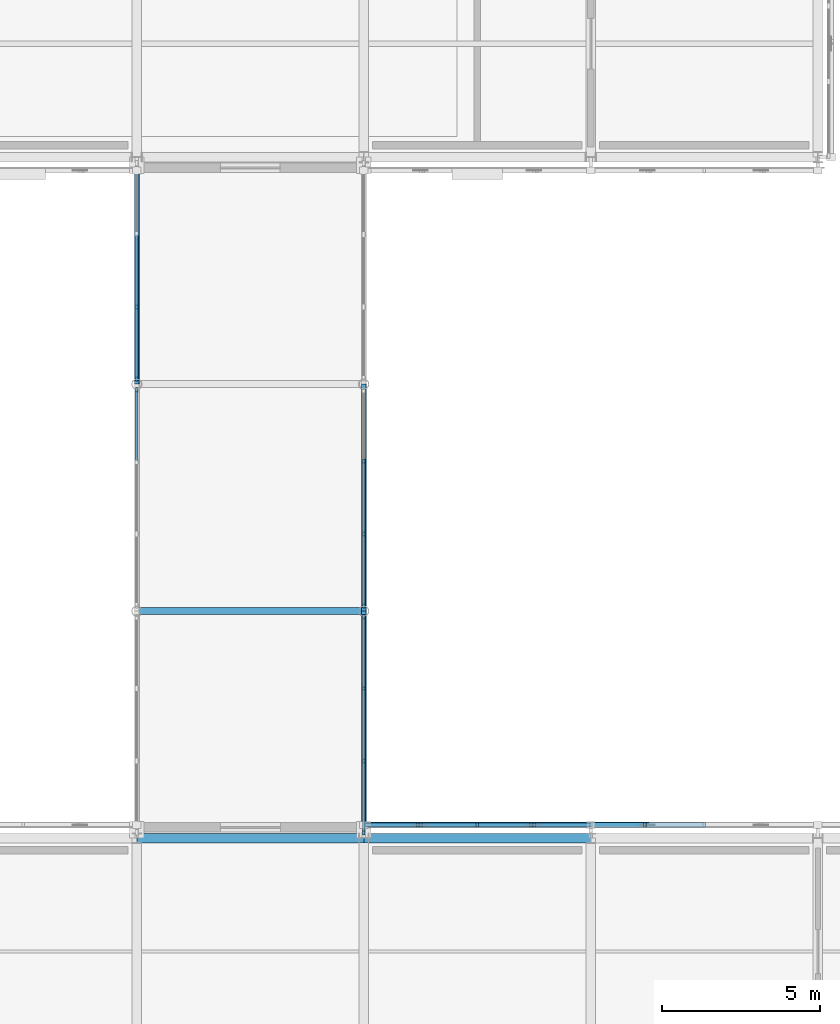
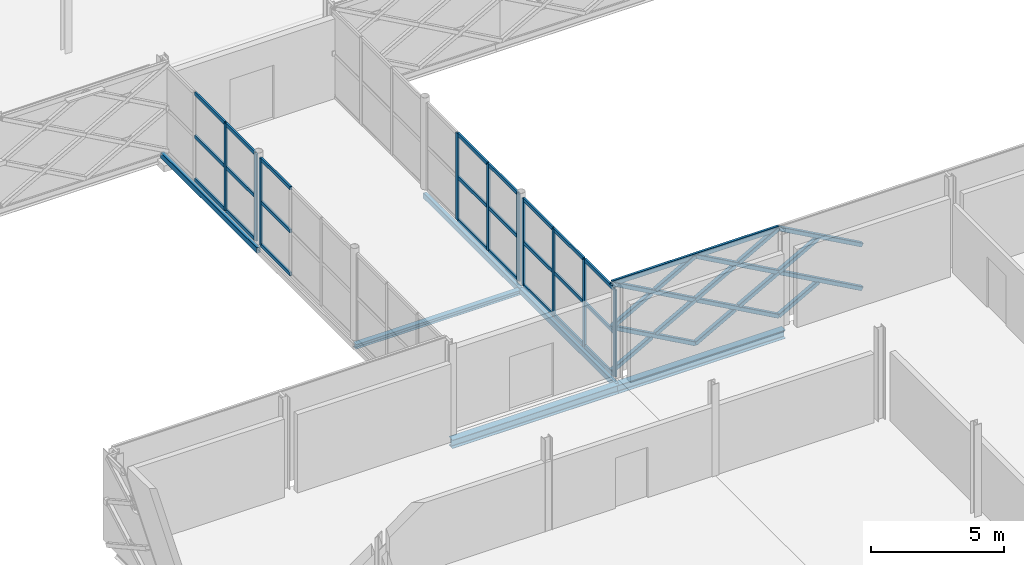
# One storey, part 33 of 146: 51 members, 6 beams, 4 elements without a shape of their own.
"""IFC4 building model written with IfcOpenShell, lengths in metres."""

from ifc_helpers import new_model, si_unit, direction, frame, origin, origin_2d, place, context, subcontext, project, spatial, rectangle, hollow_rectangle, i_section, extrude, material, material_profile, profile_set, type_object, element, aggregate, save


model = new_model("IFC4")

# Units and contexts
model_context = context("Model", 3, precision=1e-05, world=origin(), true_north=direction((0.0, 1.0)))
body_context = subcontext(model_context, "Body", "Model", "MODEL_VIEW")
ifc_project = project(units=[si_unit("LENGTHUNIT", "METRE"), si_unit("AREAUNIT", "SQUARE_METRE"), si_unit("VOLUMEUNIT", "CUBIC_METRE"), si_unit("PLANEANGLEUNIT", "RADIAN"), si_unit("MASSUNIT", "GRAM", prefix="KILO")], contexts=[model_context])

# Site, building, storey
site_placement = place(None, origin())
site = spatial("IfcSite", under=ifc_project, at=site_placement, CompositionType="ELEMENT")
building_placement = place(site_placement, origin())
building = spatial("IfcBuilding", under=site, at=building_placement, Name="Zlatovets Crest Museum", CompositionType="ELEMENT")
storey_placement = place(building_placement, frame((0.0, 0.0, 4.5)))
storey = spatial("IfcBuildingStorey", under=building, at=storey_placement, Name="L01", CompositionType="ELEMENT", Elevation=4.5)

# Beams
ifc_material_1 = material(Name="Structural steel S355J2", Category="steel")
ifc_material_profile_1 = material_profile(ifc_material_1, i_section(OverallWidth=0.300048828125, OverallDepth=0.389892578125, WebThickness=0.010986328125, FlangeThickness=0.01904296875, FilletRadius=0.027099609375, at=origin_2d()), Name="HEA 400")
ifc_profile_set_1 = profile_set([ifc_material_profile_1], Name="Structural steel S355J2")
beam_type_1 = type_object("IfcBeamType", Name="Beam_B-02", PredefinedType="BEAM", material=ifc_profile_set_1)
beam_1_placement = place(storey_placement, frame((14.39990234375, 28.800048828125, -0.4150390625), z_axis=(1.0, 0.0, 0.0), x_axis=(0.0, 1.0, 0.0)))
element("IfcBeam", 1, at=beam_1_placement, inside=storey, type_object=beam_type_1, Name="V3 L01 Primary Girder B-02", PredefinedType="BEAM", context=body_context, shape_type="SweptSolid", body=[
    extrude(i_section(OverallWidth=0.300048828125, OverallDepth=0.389892578125, WebThickness=0.010986328125, FlangeThickness=0.01904296875, FilletRadius=0.027099609375, at=origin_2d()), origin(), (0.0, 0.0, 1.0), 7.2001953125),
])
beam_2_placement = place(storey_placement, frame((21.60009765625, 28.800048828125, -0.4150390625), z_axis=(1.0, 0.0, 0.0), x_axis=(0.0, 1.0, 0.0)))
element("IfcBeam", 2, at=beam_2_placement, inside=storey, type_object=beam_type_1, Name="V3 L01 Primary Girder B-02", PredefinedType="BEAM", context=body_context, shape_type="SweptSolid", body=[
    extrude(i_section(OverallWidth=0.300048828125, OverallDepth=0.389892578125, WebThickness=0.010986328125, FlangeThickness=0.01904296875, FilletRadius=0.027099609375, at=origin_2d()), origin(), (0.0, 0.0, 1.0), 7.199951171875),
])
ifc_material_profile_2 = material_profile(ifc_material_1, i_section(OverallWidth=0.219970703125, OverallDepth=0.2099609375, WebThickness=0.007080078125, FlangeThickness=0.010986328125, FilletRadius=0.01806640625, at=origin_2d()), Name="HEA 220")
ifc_profile_set_2 = profile_set([ifc_material_profile_2], Name="Structural steel S355J2")
beam_type_2 = type_object("IfcBeamType", Name="Beam_B-14", PredefinedType="BEAM", material=ifc_profile_set_2)
beam_3_placement = place(storey_placement, frame((14.39990234375, 36.0, -0.35009765625), z_axis=(1.0, 0.0, 0.0), x_axis=(0.0, 1.0, 0.0)))
element("IfcBeam", 3, at=beam_3_placement, inside=storey, type_object=beam_type_2, Name="West Hillside Glazed Link Bridge L01 Cross Beam", PredefinedType="BEAM", context=body_context, shape_type="SweptSolid", body=[
    extrude(i_section(OverallWidth=0.219970703125, OverallDepth=0.2099609375, WebThickness=0.007080078125, FlangeThickness=0.010986328125, FilletRadius=0.01806640625, at=origin_2d()), origin(), (0.0, 0.0, 1.0), 7.2001953125),
])
ifc_material_profile_3 = material_profile(ifc_material_1, hollow_rectangle(XDim=0.159912109375, YDim=0.260009765625, WallThickness=0.010009765625, InnerFilletRadius=0.010009765625, OuterFilletRadius=0.02001953125, at=origin_2d()), Name="RHS 160x260x10.0")
ifc_profile_set_3 = profile_set([ifc_material_profile_3], Name="Structural steel S355J2")
beam_type_3 = type_object("IfcBeamType", Name="Beam_BRG-02", PredefinedType="BEAM", material=ifc_profile_set_3)
for number, where, z_axis, x_axis, name in (
    (4, (14.39990234375, 43.199951171875, -0.35009765625), (0.0, 1.0, 0.0), (-1.0, 0.0, 0.0), "West Hillside Glazed Link Bridge L01 Stringer Beam"),
    (5, (21.60009765625, 28.800048828125, -0.35009765625), (0.0, 1.0, 0.0), (-1.0, 0.0, 0.0), "West Hillside Glazed Link Bridge L01 Stringer Beam"),
    (6, (21.60009765625, 36.0, -0.35009765625), (0.0, 1.0, 0.0), (-1.0, 0.0, 0.0), "West Hillside Glazed Link Bridge L01 Stringer Beam"),
):
    element("IfcBeam", number, at=place(storey_placement, frame(where, z_axis=z_axis, x_axis=x_axis)), inside=storey, type_object=beam_type_3, Name=name, PredefinedType="BEAM", context=body_context, shape_type="SweptSolid", body=[
        extrude(hollow_rectangle(XDim=0.159912109375, YDim=0.260009765625, WallThickness=0.010009765625, InnerFilletRadius=0.010009765625, OuterFilletRadius=0.02001953125, at=origin_2d()), origin(), (0.0, 0.0, 1.0), 7.199951171875),
    ])

# Curtain wall, member
ifc_material_2 = material(Name="Bronze-anodised aluminium and low-E triple glass", Category="aluminium")
curtain_wall_type = type_object("IfcCurtainWallType", Name="CW_CW-BR2-L01-S69", PredefinedType="NOTDEFINED", material=ifc_material_2)
curtain_wall_1_placement = place(storey_placement, origin())
curtain_wall_1 = element("IfcCurtainWall", 7, at=curtain_wall_1_placement, inside=storey, type_object=curtain_wall_type, Name="West Hillside Glazed Link Bridge L01 Glazed Bridge Curtain Wall", PredefinedType="NOTDEFINED")
ifc_material_3 = material(Name="Bronze-anodised aluminium EN AW-6060", Category="aluminium")
ifc_material_profile_4 = material_profile(ifc_material_3, rectangle(XDim=0.080078125, YDim=0.159912109375, at=origin_2d()), Name="ALU 80x160")
ifc_profile_set_4 = profile_set([ifc_material_profile_4], Name="Bronze-anodised aluminium EN AW-6060")
member_type_1 = type_object("IfcMemberType", Name="CWMull_M1", PredefinedType="MULLION", material=ifc_profile_set_4)
member_1_placement = place(storey_placement, frame((14.39990234375, 43.02001953125, 0.0), z_axis=(0.0, 0.0, 1.0), x_axis=(-1.0, 0.0, 0.0)))
member_1 = element("IfcMember", 8, at=member_1_placement, type_object=member_type_1, Name="CW-BR2-L01-S69 mullion 4", PredefinedType="MULLION", context=body_context, shape_type="SweptSolid", body=[
    extrude(rectangle(XDim=0.080078125, YDim=0.159912109375, at=origin_2d()), origin(), (0.0, 0.0, 1.0), 3.97998046875),
])

# Curtain wall, members
curtain_wall_2_placement = place(storey_placement, origin())
curtain_wall_2 = element("IfcCurtainWall", 9, at=curtain_wall_2_placement, inside=storey, type_object=curtain_wall_type, Name="West Hillside Glazed Link Bridge L01 Glazed Bridge Curtain Wall", PredefinedType="NOTDEFINED")
member_2_placement = place(storey_placement, frame((14.39990234375, 43.3798828125, 0.0), z_axis=(0.0, 0.0, 1.0), x_axis=(-1.0, 0.0, 0.0)))
member_2 = element("IfcMember", 10, at=member_2_placement, type_object=member_type_1, Name="CW-BR2-L01-S69 mullion 1", PredefinedType="MULLION", context=body_context, shape_type="SweptSolid", body=[
    extrude(rectangle(XDim=0.080078125, YDim=0.159912109375, at=origin_2d()), origin(), (0.0, 0.0, 1.0), 3.97998046875),
])
member_3_placement = place(storey_placement, frame((14.39990234375, 45.64990234375, 0.0), z_axis=(0.0, 0.0, 1.0), x_axis=(-1.0, 0.0, 0.0)))
member_3 = element("IfcMember", 11, at=member_3_placement, type_object=member_type_1, Name="CW-BR2-L01-S69 mullion 2", PredefinedType="MULLION", context=body_context, shape_type="SweptSolid", body=[
    extrude(rectangle(XDim=0.080078125, YDim=0.159912109375, at=origin_2d()), origin(), (0.0, 0.0, 1.0), 3.97998046875),
])

curtain_wall_3_placement = place(storey_placement, origin())
curtain_wall_3 = element("IfcCurtainWall", 12, at=curtain_wall_3_placement, inside=storey, type_object=curtain_wall_type, Name="West Hillside Glazed Link Bridge L01 Glazed Bridge Curtain Wall", PredefinedType="NOTDEFINED")
member_4_placement = place(storey_placement, frame((21.60009765625, 28.97998046875, 0.0), z_axis=(0.0, 0.0, 1.0), x_axis=(-1.0, 0.0, 0.0)))
member_4 = element("IfcMember", 13, at=member_4_placement, type_object=member_type_1, Name="CW-BR2-L01-S69 mullion 1", PredefinedType="MULLION", context=body_context, shape_type="SweptSolid", body=[
    extrude(rectangle(XDim=0.080078125, YDim=0.159912109375, at=origin_2d()), origin(), (0.0, 0.0, 1.0), 3.97998046875),
])
member_5_placement = place(storey_placement, frame((21.60009765625, 31.25, 0.0), z_axis=(0.0, 0.0, 1.0), x_axis=(-1.0, 0.0, 0.0)))
member_5 = element("IfcMember", 14, at=member_5_placement, type_object=member_type_1, Name="CW-BR2-L01-S69 mullion 2", PredefinedType="MULLION", context=body_context, shape_type="SweptSolid", body=[
    extrude(rectangle(XDim=0.080078125, YDim=0.159912109375, at=origin_2d()), origin(), (0.0, 0.0, 1.0), 3.97998046875),
])
member_6_placement = place(storey_placement, frame((21.60009765625, 33.550048828125, 0.0), z_axis=(0.0, 0.0, 1.0), x_axis=(-1.0, 0.0, 0.0)))
member_6 = element("IfcMember", 15, at=member_6_placement, type_object=member_type_1, Name="CW-BR2-L01-S69 mullion 3", PredefinedType="MULLION", context=body_context, shape_type="SweptSolid", body=[
    extrude(rectangle(XDim=0.080078125, YDim=0.159912109375, at=origin_2d()), origin(), (0.0, 0.0, 1.0), 3.97998046875),
])
member_7_placement = place(storey_placement, frame((21.60009765625, 35.820068359375, 0.0), z_axis=(0.0, 0.0, 1.0), x_axis=(-1.0, 0.0, 0.0)))
member_7 = element("IfcMember", 16, at=member_7_placement, type_object=member_type_1, Name="CW-BR2-L01-S69 mullion 4", PredefinedType="MULLION", context=body_context, shape_type="SweptSolid", body=[
    extrude(rectangle(XDim=0.080078125, YDim=0.159912109375, at=origin_2d()), origin(), (0.0, 0.0, 1.0), 3.97998046875),
])

curtain_wall_4_placement = place(storey_placement, origin())
curtain_wall_4 = element("IfcCurtainWall", 17, at=curtain_wall_4_placement, inside=storey, type_object=curtain_wall_type, Name="West Hillside Glazed Link Bridge L01 Glazed Bridge Curtain Wall", PredefinedType="NOTDEFINED")
member_8_placement = place(storey_placement, frame((21.60009765625, 36.179931640625, 0.0), z_axis=(0.0, 0.0, 1.0), x_axis=(-1.0, 0.0, 0.0)))
member_8 = element("IfcMember", 18, at=member_8_placement, type_object=member_type_1, Name="CW-BR2-L01-S69 mullion 1", PredefinedType="MULLION", context=body_context, shape_type="SweptSolid", body=[
    extrude(rectangle(XDim=0.080078125, YDim=0.159912109375, at=origin_2d()), origin(), (0.0, 0.0, 1.0), 3.97998046875),
])
member_9_placement = place(storey_placement, frame((21.60009765625, 38.449951171875, 0.0), z_axis=(0.0, 0.0, 1.0), x_axis=(-1.0, 0.0, 0.0)))
member_9 = element("IfcMember", 19, at=member_9_placement, type_object=member_type_1, Name="CW-BR2-L01-S69 mullion 2", PredefinedType="MULLION", context=body_context, shape_type="SweptSolid", body=[
    extrude(rectangle(XDim=0.080078125, YDim=0.159912109375, at=origin_2d()), origin(), (0.0, 0.0, 1.0), 3.97998046875),
])
member_10_placement = place(storey_placement, frame((21.60009765625, 40.75, 0.0), z_axis=(0.0, 0.0, 1.0), x_axis=(-1.0, 0.0, 0.0)))
member_10 = element("IfcMember", 20, at=member_10_placement, type_object=member_type_1, Name="CW-BR2-L01-S69 mullion 3", PredefinedType="MULLION", context=body_context, shape_type="SweptSolid", body=[
    extrude(rectangle(XDim=0.080078125, YDim=0.159912109375, at=origin_2d()), origin(), (0.0, 0.0, 1.0), 3.97998046875),
])

# Member
ifc_material_profile_5 = material_profile(ifc_material_3, rectangle(XDim=0.080078125, YDim=0.159912109375, at=origin_2d()), Name="ALU 80x160")
ifc_profile_set_5 = profile_set([ifc_material_profile_5], Name="Bronze-anodised aluminium EN AW-6060")
member_type_2 = type_object("IfcMemberType", Name="CWTrans_T1", PredefinedType="USERDEFINED", material=ifc_profile_set_5)
member_11_placement = place(storey_placement, frame((14.39990234375, 40.780029296875, 0.030029296875), z_axis=(0.0, 1.0, 0.0), x_axis=(-1.0, 0.0, 0.0)))
member_11 = element("IfcMember", 21, at=member_11_placement, type_object=member_type_2, Name="CW-BR2-L01-S69 transom 3.1", ObjectType="TRANSOM", PredefinedType="USERDEFINED", context=body_context, shape_type="SweptSolid", body=[
    extrude(rectangle(XDim=0.080078125, YDim=0.159912109375, at=origin_2d()), origin(), (0.0, 0.0, 1.0), 2.2099609375),
])

member_12_placement = place(storey_placement, frame((14.39990234375, 40.780029296875, 1.989990234375), z_axis=(0.0, 1.0, 0.0), x_axis=(-1.0, 0.0, 0.0)))
member_12 = element("IfcMember", 22, at=member_12_placement, type_object=member_type_2, Name="CW-BR2-L01-S69 transom 3.2", ObjectType="TRANSOM", PredefinedType="USERDEFINED", context=body_context, shape_type="SweptSolid", body=[
    extrude(rectangle(XDim=0.080078125, YDim=0.159912109375, at=origin_2d()), origin(), (0.0, 0.0, 1.0), 2.2099609375),
])

member_13_placement = place(storey_placement, frame((14.39990234375, 40.780029296875, 3.949951171875), z_axis=(0.0, 1.0, 0.0), x_axis=(-1.0, 0.0, 0.0)))
member_13 = element("IfcMember", 23, at=member_13_placement, type_object=member_type_2, Name="CW-BR2-L01-S69 transom 3.3", ObjectType="TRANSOM", PredefinedType="USERDEFINED", context=body_context, shape_type="SweptSolid", body=[
    extrude(rectangle(XDim=0.080078125, YDim=0.159912109375, at=origin_2d()), origin(), (0.0, 0.0, 1.0), 2.2099609375),
])

aggregate(curtain_wall_1, [member_1, member_11, member_12, member_13])

member_14_placement = place(storey_placement, frame((14.39990234375, 43.409912109375, 0.030029296875), z_axis=(0.0, 1.0, 0.0), x_axis=(-1.0, 0.0, 0.0)))
member_14 = element("IfcMember", 24, at=member_14_placement, type_object=member_type_2, Name="CW-BR2-L01-S69 transom 1.1", ObjectType="TRANSOM", PredefinedType="USERDEFINED", context=body_context, shape_type="SweptSolid", body=[
    extrude(rectangle(XDim=0.080078125, YDim=0.159912109375, at=origin_2d()), origin(), (0.0, 0.0, 1.0), 2.210205078125),
])

member_15_placement = place(storey_placement, frame((14.39990234375, 43.409912109375, 1.989990234375), z_axis=(0.0, 1.0, 0.0), x_axis=(-1.0, 0.0, 0.0)))
member_15 = element("IfcMember", 25, at=member_15_placement, type_object=member_type_2, Name="CW-BR2-L01-S69 transom 1.2", ObjectType="TRANSOM", PredefinedType="USERDEFINED", context=body_context, shape_type="SweptSolid", body=[
    extrude(rectangle(XDim=0.080078125, YDim=0.159912109375, at=origin_2d()), origin(), (0.0, 0.0, 1.0), 2.210205078125),
])

member_16_placement = place(storey_placement, frame((14.39990234375, 43.409912109375, 3.949951171875), z_axis=(0.0, 1.0, 0.0), x_axis=(-1.0, 0.0, 0.0)))
member_16 = element("IfcMember", 26, at=member_16_placement, type_object=member_type_2, Name="CW-BR2-L01-S69 transom 1.3", ObjectType="TRANSOM", PredefinedType="USERDEFINED", context=body_context, shape_type="SweptSolid", body=[
    extrude(rectangle(XDim=0.080078125, YDim=0.159912109375, at=origin_2d()), origin(), (0.0, 0.0, 1.0), 2.210205078125),
])

member_17_placement = place(storey_placement, frame((14.39990234375, 45.679931640625, 0.030029296875), z_axis=(0.0, 1.0, 0.0), x_axis=(-1.0, 0.0, 0.0)))
member_17 = element("IfcMember", 27, at=member_17_placement, type_object=member_type_2, Name="CW-BR2-L01-S69 transom 2.1", ObjectType="TRANSOM", PredefinedType="USERDEFINED", context=body_context, shape_type="SweptSolid", body=[
    extrude(rectangle(XDim=0.080078125, YDim=0.159912109375, at=origin_2d()), origin(), (0.0, 0.0, 1.0), 2.239990234375),
])

member_18_placement = place(storey_placement, frame((14.39990234375, 45.679931640625, 1.989990234375), z_axis=(0.0, 1.0, 0.0), x_axis=(-1.0, 0.0, 0.0)))
member_18 = element("IfcMember", 28, at=member_18_placement, type_object=member_type_2, Name="CW-BR2-L01-S69 transom 2.2", ObjectType="TRANSOM", PredefinedType="USERDEFINED", context=body_context, shape_type="SweptSolid", body=[
    extrude(rectangle(XDim=0.080078125, YDim=0.159912109375, at=origin_2d()), origin(), (0.0, 0.0, 1.0), 2.239990234375),
])

member_19_placement = place(storey_placement, frame((14.39990234375, 45.679931640625, 3.949951171875), z_axis=(0.0, 1.0, 0.0), x_axis=(-1.0, 0.0, 0.0)))
member_19 = element("IfcMember", 29, at=member_19_placement, type_object=member_type_2, Name="CW-BR2-L01-S69 transom 2.3", ObjectType="TRANSOM", PredefinedType="USERDEFINED", context=body_context, shape_type="SweptSolid", body=[
    extrude(rectangle(XDim=0.080078125, YDim=0.159912109375, at=origin_2d()), origin(), (0.0, 0.0, 1.0), 2.239990234375),
])

aggregate(curtain_wall_2, [member_2, member_3, member_14, member_15, member_16, member_17, member_18, member_19])

member_20_placement = place(storey_placement, frame((21.60009765625, 29.010009765625, 0.030029296875), z_axis=(0.0, 1.0, 0.0), x_axis=(-1.0, 0.0, 0.0)))
member_20 = element("IfcMember", 30, at=member_20_placement, type_object=member_type_2, Name="CW-BR2-L01-S69 transom 1.1", ObjectType="TRANSOM", PredefinedType="USERDEFINED", context=body_context, shape_type="SweptSolid", body=[
    extrude(rectangle(XDim=0.080078125, YDim=0.159912109375, at=origin_2d()), origin(), (0.0, 0.0, 1.0), 2.2099609375),
])

member_21_placement = place(storey_placement, frame((21.60009765625, 29.010009765625, 1.989990234375), z_axis=(0.0, 1.0, 0.0), x_axis=(-1.0, 0.0, 0.0)))
member_21 = element("IfcMember", 31, at=member_21_placement, type_object=member_type_2, Name="CW-BR2-L01-S69 transom 1.2", ObjectType="TRANSOM", PredefinedType="USERDEFINED", context=body_context, shape_type="SweptSolid", body=[
    extrude(rectangle(XDim=0.080078125, YDim=0.159912109375, at=origin_2d()), origin(), (0.0, 0.0, 1.0), 2.2099609375),
])

member_22_placement = place(storey_placement, frame((21.60009765625, 29.010009765625, 3.949951171875), z_axis=(0.0, 1.0, 0.0), x_axis=(-1.0, 0.0, 0.0)))
member_22 = element("IfcMember", 32, at=member_22_placement, type_object=member_type_2, Name="CW-BR2-L01-S69 transom 1.3", ObjectType="TRANSOM", PredefinedType="USERDEFINED", context=body_context, shape_type="SweptSolid", body=[
    extrude(rectangle(XDim=0.080078125, YDim=0.159912109375, at=origin_2d()), origin(), (0.0, 0.0, 1.0), 2.2099609375),
])

member_23_placement = place(storey_placement, frame((21.60009765625, 31.280029296875, 0.030029296875), z_axis=(0.0, 1.0, 0.0), x_axis=(-1.0, 0.0, 0.0)))
member_23 = element("IfcMember", 33, at=member_23_placement, type_object=member_type_2, Name="CW-BR2-L01-S69 transom 2.1", ObjectType="TRANSOM", PredefinedType="USERDEFINED", context=body_context, shape_type="SweptSolid", body=[
    extrude(rectangle(XDim=0.080078125, YDim=0.159912109375, at=origin_2d()), origin(), (0.0, 0.0, 1.0), 2.239990234375),
])

member_24_placement = place(storey_placement, frame((21.60009765625, 31.280029296875, 1.989990234375), z_axis=(0.0, 1.0, 0.0), x_axis=(-1.0, 0.0, 0.0)))
member_24 = element("IfcMember", 34, at=member_24_placement, type_object=member_type_2, Name="CW-BR2-L01-S69 transom 2.2", ObjectType="TRANSOM", PredefinedType="USERDEFINED", context=body_context, shape_type="SweptSolid", body=[
    extrude(rectangle(XDim=0.080078125, YDim=0.159912109375, at=origin_2d()), origin(), (0.0, 0.0, 1.0), 2.239990234375),
])

member_25_placement = place(storey_placement, frame((21.60009765625, 31.280029296875, 3.949951171875), z_axis=(0.0, 1.0, 0.0), x_axis=(-1.0, 0.0, 0.0)))
member_25 = element("IfcMember", 35, at=member_25_placement, type_object=member_type_2, Name="CW-BR2-L01-S69 transom 2.3", ObjectType="TRANSOM", PredefinedType="USERDEFINED", context=body_context, shape_type="SweptSolid", body=[
    extrude(rectangle(XDim=0.080078125, YDim=0.159912109375, at=origin_2d()), origin(), (0.0, 0.0, 1.0), 2.239990234375),
])

member_26_placement = place(storey_placement, frame((21.60009765625, 33.580078125, 0.030029296875), z_axis=(0.0, 1.0, 0.0), x_axis=(-1.0, 0.0, 0.0)))
member_26 = element("IfcMember", 36, at=member_26_placement, type_object=member_type_2, Name="CW-BR2-L01-S69 transom 3.1", ObjectType="TRANSOM", PredefinedType="USERDEFINED", context=body_context, shape_type="SweptSolid", body=[
    extrude(rectangle(XDim=0.080078125, YDim=0.159912109375, at=origin_2d()), origin(), (0.0, 0.0, 1.0), 2.2099609375),
])

member_27_placement = place(storey_placement, frame((21.60009765625, 33.580078125, 1.989990234375), z_axis=(0.0, 1.0, 0.0), x_axis=(-1.0, 0.0, 0.0)))
member_27 = element("IfcMember", 37, at=member_27_placement, type_object=member_type_2, Name="CW-BR2-L01-S69 transom 3.2", ObjectType="TRANSOM", PredefinedType="USERDEFINED", context=body_context, shape_type="SweptSolid", body=[
    extrude(rectangle(XDim=0.080078125, YDim=0.159912109375, at=origin_2d()), origin(), (0.0, 0.0, 1.0), 2.2099609375),
])

member_28_placement = place(storey_placement, frame((21.60009765625, 33.580078125, 3.949951171875), z_axis=(0.0, 1.0, 0.0), x_axis=(-1.0, 0.0, 0.0)))
member_28 = element("IfcMember", 38, at=member_28_placement, type_object=member_type_2, Name="CW-BR2-L01-S69 transom 3.3", ObjectType="TRANSOM", PredefinedType="USERDEFINED", context=body_context, shape_type="SweptSolid", body=[
    extrude(rectangle(XDim=0.080078125, YDim=0.159912109375, at=origin_2d()), origin(), (0.0, 0.0, 1.0), 2.2099609375),
])

aggregate(curtain_wall_3, [member_4, member_5, member_6, member_7, member_20, member_21, member_22, member_23, member_24, member_25, member_26, member_27, member_28])

member_29_placement = place(storey_placement, frame((21.60009765625, 36.2099609375, 0.030029296875), z_axis=(0.0, 1.0, 0.0), x_axis=(-1.0, 0.0, 0.0)))
member_29 = element("IfcMember", 39, at=member_29_placement, type_object=member_type_2, Name="CW-BR2-L01-S69 transom 1.1", ObjectType="TRANSOM", PredefinedType="USERDEFINED", context=body_context, shape_type="SweptSolid", body=[
    extrude(rectangle(XDim=0.080078125, YDim=0.159912109375, at=origin_2d()), origin(), (0.0, 0.0, 1.0), 2.2099609375),
])

member_30_placement = place(storey_placement, frame((21.60009765625, 36.2099609375, 1.989990234375), z_axis=(0.0, 1.0, 0.0), x_axis=(-1.0, 0.0, 0.0)))
member_30 = element("IfcMember", 40, at=member_30_placement, type_object=member_type_2, Name="CW-BR2-L01-S69 transom 1.2", ObjectType="TRANSOM", PredefinedType="USERDEFINED", context=body_context, shape_type="SweptSolid", body=[
    extrude(rectangle(XDim=0.080078125, YDim=0.159912109375, at=origin_2d()), origin(), (0.0, 0.0, 1.0), 2.2099609375),
])

member_31_placement = place(storey_placement, frame((21.60009765625, 36.2099609375, 3.949951171875), z_axis=(0.0, 1.0, 0.0), x_axis=(-1.0, 0.0, 0.0)))
member_31 = element("IfcMember", 41, at=member_31_placement, type_object=member_type_2, Name="CW-BR2-L01-S69 transom 1.3", ObjectType="TRANSOM", PredefinedType="USERDEFINED", context=body_context, shape_type="SweptSolid", body=[
    extrude(rectangle(XDim=0.080078125, YDim=0.159912109375, at=origin_2d()), origin(), (0.0, 0.0, 1.0), 2.2099609375),
])

member_32_placement = place(storey_placement, frame((21.60009765625, 38.47998046875, 0.030029296875), z_axis=(0.0, 1.0, 0.0), x_axis=(-1.0, 0.0, 0.0)))
member_32 = element("IfcMember", 42, at=member_32_placement, type_object=member_type_2, Name="CW-BR2-L01-S69 transom 2.1", ObjectType="TRANSOM", PredefinedType="USERDEFINED", context=body_context, shape_type="SweptSolid", body=[
    extrude(rectangle(XDim=0.080078125, YDim=0.159912109375, at=origin_2d()), origin(), (0.0, 0.0, 1.0), 2.239990234375),
])

member_33_placement = place(storey_placement, frame((21.60009765625, 38.47998046875, 1.989990234375), z_axis=(0.0, 1.0, 0.0), x_axis=(-1.0, 0.0, 0.0)))
member_33 = element("IfcMember", 43, at=member_33_placement, type_object=member_type_2, Name="CW-BR2-L01-S69 transom 2.2", ObjectType="TRANSOM", PredefinedType="USERDEFINED", context=body_context, shape_type="SweptSolid", body=[
    extrude(rectangle(XDim=0.080078125, YDim=0.159912109375, at=origin_2d()), origin(), (0.0, 0.0, 1.0), 2.239990234375),
])

member_34_placement = place(storey_placement, frame((21.60009765625, 38.47998046875, 3.949951171875), z_axis=(0.0, 1.0, 0.0), x_axis=(-1.0, 0.0, 0.0)))
member_34 = element("IfcMember", 44, at=member_34_placement, type_object=member_type_2, Name="CW-BR2-L01-S69 transom 2.3", ObjectType="TRANSOM", PredefinedType="USERDEFINED", context=body_context, shape_type="SweptSolid", body=[
    extrude(rectangle(XDim=0.080078125, YDim=0.159912109375, at=origin_2d()), origin(), (0.0, 0.0, 1.0), 2.239990234375),
])

aggregate(curtain_wall_4, [member_8, member_9, member_10, member_29, member_30, member_31, member_32, member_33, member_34])

# Members
ifc_material_4 = material(Name="Weathering bronze-steel S355J2W", Category="steel")
ifc_material_profile_6 = material_profile(ifc_material_4, hollow_rectangle(XDim=0.179931640625, YDim=0.179931640625, WallThickness=0.010009765625, InnerFilletRadius=0.010009765625, OuterFilletRadius=0.02001953125, at=origin_2d()), Name="SHS 180x180x10.0")
ifc_profile_set_6 = profile_set([ifc_material_profile_6], Name="Weathering bronze-steel S355J2W")
member_type_3 = type_object("IfcMemberType", Name="Lattice_XL-01", PredefinedType="BRACE", material=ifc_profile_set_6)
member_35_placement = place(storey_placement, frame((32.39990234375, 29.219970703125, 0.10009765625), z_axis=(-0.874148886685, 0.0, 0.485658031857), x_axis=(0.0, -1.0, 0.0)))
element("IfcMember", 45, at=member_35_placement, inside=storey, type_object=member_type_3, Name="Continuous Bronze Lattice Diagonal", PredefinedType="BRACE", context=body_context, shape_type="SweptSolid", body=[
    extrude(hollow_rectangle(XDim=0.179931640625, YDim=0.179931640625, WallThickness=0.010009765625, InnerFilletRadius=0.010009765625, OuterFilletRadius=0.02001953125, at=origin_2d()), origin(), (0.0, 0.0, 1.0), 4.1181640625),
])
member_36_placement = place(storey_placement, frame((30.51708984375, 29.219970703125, 1.053955078125), z_axis=(-0.874169001841, 0.0, -0.485621824284), x_axis=(0.0, -1.0, 0.0)))
element("IfcMember", 46, at=member_36_placement, inside=storey, type_object=member_type_3, Name="Split Crossing Bronze Lattice Diagonal Lower", PredefinedType="BRACE", context=body_context, shape_type="SweptSolid", body=[
    extrude(hollow_rectangle(XDim=0.179931640625, YDim=0.179931640625, WallThickness=0.010009765625, InnerFilletRadius=0.010009765625, OuterFilletRadius=0.02001953125, at=origin_2d()), origin(), (0.0, 0.0, 1.0), 1.964111328125),
])
member_37_placement = place(storey_placement, frame((32.39990234375, 29.219970703125, 2.10009765625), z_axis=(-0.874148886685, 0.0, 0.485658031857), x_axis=(0.0, -1.0, 0.0)))
element("IfcMember", 47, at=member_37_placement, inside=storey, type_object=member_type_3, Name="Continuous Bronze Lattice Diagonal", PredefinedType="BRACE", context=body_context, shape_type="SweptSolid", body=[
    extrude(hollow_rectangle(XDim=0.179931640625, YDim=0.179931640625, WallThickness=0.010009765625, InnerFilletRadius=0.010009765625, OuterFilletRadius=0.02001953125, at=origin_2d()), origin(), (0.0, 0.0, 1.0), 4.1181640625),
])
member_38_placement = place(storey_placement, frame((30.51708984375, 29.219970703125, 3.053955078125), z_axis=(-0.874169001841, 0.0, -0.485621824284), x_axis=(0.0, -1.0, 0.0)))
element("IfcMember", 48, at=member_38_placement, inside=storey, type_object=member_type_3, Name="Split Crossing Bronze Lattice Diagonal Lower", PredefinedType="BRACE", context=body_context, shape_type="SweptSolid", body=[
    extrude(hollow_rectangle(XDim=0.179931640625, YDim=0.179931640625, WallThickness=0.010009765625, InnerFilletRadius=0.010009765625, OuterFilletRadius=0.02001953125, at=origin_2d()), origin(), (0.0, 0.0, 1.0), 1.964111328125),
])
member_39_placement = place(storey_placement, frame((28.800048828125, 29.219970703125, 0.10009765625), z_axis=(-0.874162868644, 0.0, 0.485632864501), x_axis=(0.0, -1.0, 0.0)))
element("IfcMember", 49, at=member_39_placement, inside=storey, type_object=member_type_3, Name="Continuous Bronze Lattice Diagonal", PredefinedType="BRACE", context=body_context, shape_type="SweptSolid", body=[
    extrude(hollow_rectangle(XDim=0.179931640625, YDim=0.179931640625, WallThickness=0.010009765625, InnerFilletRadius=0.010009765625, OuterFilletRadius=0.02001953125, at=origin_2d()), origin(), (0.0, 0.0, 1.0), 4.118408203125),
])
member_40_placement = place(storey_placement, frame((28.800048828125, 29.219970703125, 2.10009765625), z_axis=(-0.874116234569, 0.0, -0.48571679862), x_axis=(0.0, -1.0, 0.0)))
element("IfcMember", 50, at=member_40_placement, inside=storey, type_object=member_type_3, Name="Split Crossing Bronze Lattice Diagonal Upper", PredefinedType="BRACE", context=body_context, shape_type="SweptSolid", body=[
    extrude(hollow_rectangle(XDim=0.179931640625, YDim=0.179931640625, WallThickness=0.010009765625, InnerFilletRadius=0.010009765625, OuterFilletRadius=0.02001953125, at=origin_2d()), origin(), (0.0, 0.0, 1.0), 1.96435546875),
])
member_41_placement = place(storey_placement, frame((26.9169921875, 29.219970703125, 1.053955078125), z_axis=(-0.874169001841, 0.0, -0.485621824284), x_axis=(0.0, -1.0, 0.0)))
element("IfcMember", 51, at=member_41_placement, inside=storey, type_object=member_type_3, Name="Split Crossing Bronze Lattice Diagonal Lower", PredefinedType="BRACE", context=body_context, shape_type="SweptSolid", body=[
    extrude(hollow_rectangle(XDim=0.179931640625, YDim=0.179931640625, WallThickness=0.010009765625, InnerFilletRadius=0.010009765625, OuterFilletRadius=0.02001953125, at=origin_2d()), origin(), (0.0, 0.0, 1.0), 1.964111328125),
])
member_42_placement = place(storey_placement, frame((25.199951171875, 29.219970703125, 0.10009765625), z_axis=(-0.874148886685, 0.0, 0.485658031857), x_axis=(0.0, -1.0, 0.0)))
element("IfcMember", 52, at=member_42_placement, inside=storey, type_object=member_type_3, Name="Continuous Bronze Lattice Diagonal", PredefinedType="BRACE", context=body_context, shape_type="SweptSolid", body=[
    extrude(hollow_rectangle(XDim=0.179931640625, YDim=0.179931640625, WallThickness=0.010009765625, InnerFilletRadius=0.010009765625, OuterFilletRadius=0.02001953125, at=origin_2d()), origin(), (0.0, 0.0, 1.0), 4.1181640625),
])
member_43_placement = place(storey_placement, frame((25.199951171875, 29.219970703125, 2.10009765625), z_axis=(-0.874116234569, 0.0, -0.48571679862), x_axis=(0.0, -1.0, 0.0)))
element("IfcMember", 53, at=member_43_placement, inside=storey, type_object=member_type_3, Name="Split Crossing Bronze Lattice Diagonal Upper", PredefinedType="BRACE", context=body_context, shape_type="SweptSolid", body=[
    extrude(hollow_rectangle(XDim=0.179931640625, YDim=0.179931640625, WallThickness=0.010009765625, InnerFilletRadius=0.010009765625, OuterFilletRadius=0.02001953125, at=origin_2d()), origin(), (0.0, 0.0, 1.0), 1.96435546875),
])
member_44_placement = place(storey_placement, frame((23.31689453125, 29.219970703125, 1.053955078125), z_axis=(-0.874139684676, 0.0, -0.48567459443), x_axis=(0.0, -1.0, 0.0)))
element("IfcMember", 54, at=member_44_placement, inside=storey, type_object=member_type_3, Name="Split Crossing Bronze Lattice Diagonal Lower", PredefinedType="BRACE", context=body_context, shape_type="SweptSolid", body=[
    extrude(hollow_rectangle(XDim=0.179931640625, YDim=0.179931640625, WallThickness=0.010009765625, InnerFilletRadius=0.010009765625, OuterFilletRadius=0.02001953125, at=origin_2d()), origin(), (0.0, 0.0, 1.0), 1.9638671875),
])
member_45_placement = place(storey_placement, frame((28.800048828125, 29.219970703125, 2.10009765625), z_axis=(-0.874162868644, 0.0, 0.485632864501), x_axis=(0.0, -1.0, 0.0)))
element("IfcMember", 55, at=member_45_placement, inside=storey, type_object=member_type_3, Name="Continuous Bronze Lattice Diagonal", PredefinedType="BRACE", context=body_context, shape_type="SweptSolid", body=[
    extrude(hollow_rectangle(XDim=0.179931640625, YDim=0.179931640625, WallThickness=0.010009765625, InnerFilletRadius=0.010009765625, OuterFilletRadius=0.02001953125, at=origin_2d()), origin(), (0.0, 0.0, 1.0), 4.118408203125),
])
member_46_placement = place(storey_placement, frame((28.800048828125, 29.219970703125, 4.10009765625), z_axis=(-0.874116234569, 0.0, -0.48571679862), x_axis=(0.0, -1.0, 0.0)))
element("IfcMember", 56, at=member_46_placement, inside=storey, type_object=member_type_3, Name="Split Crossing Bronze Lattice Diagonal Upper", PredefinedType="BRACE", context=body_context, shape_type="SweptSolid", body=[
    extrude(hollow_rectangle(XDim=0.179931640625, YDim=0.179931640625, WallThickness=0.010009765625, InnerFilletRadius=0.010009765625, OuterFilletRadius=0.02001953125, at=origin_2d()), origin(), (0.0, 0.0, 1.0), 1.96435546875),
])
member_47_placement = place(storey_placement, frame((26.9169921875, 29.219970703125, 3.053955078125), z_axis=(-0.874169001841, 0.0, -0.485621824284), x_axis=(0.0, -1.0, 0.0)))
element("IfcMember", 57, at=member_47_placement, inside=storey, type_object=member_type_3, Name="Split Crossing Bronze Lattice Diagonal Lower", PredefinedType="BRACE", context=body_context, shape_type="SweptSolid", body=[
    extrude(hollow_rectangle(XDim=0.179931640625, YDim=0.179931640625, WallThickness=0.010009765625, InnerFilletRadius=0.010009765625, OuterFilletRadius=0.02001953125, at=origin_2d()), origin(), (0.0, 0.0, 1.0), 1.964111328125),
])
member_48_placement = place(storey_placement, frame((25.199951171875, 29.219970703125, 2.10009765625), z_axis=(-0.874148886685, 0.0, 0.485658031857), x_axis=(0.0, -1.0, 0.0)))
element("IfcMember", 58, at=member_48_placement, inside=storey, type_object=member_type_3, Name="Continuous Bronze Lattice Diagonal", PredefinedType="BRACE", context=body_context, shape_type="SweptSolid", body=[
    extrude(hollow_rectangle(XDim=0.179931640625, YDim=0.179931640625, WallThickness=0.010009765625, InnerFilletRadius=0.010009765625, OuterFilletRadius=0.02001953125, at=origin_2d()), origin(), (0.0, 0.0, 1.0), 4.1181640625),
])
member_49_placement = place(storey_placement, frame((25.199951171875, 29.219970703125, 4.10009765625), z_axis=(-0.874116234569, 0.0, -0.48571679862), x_axis=(0.0, -1.0, 0.0)))
element("IfcMember", 59, at=member_49_placement, inside=storey, type_object=member_type_3, Name="Split Crossing Bronze Lattice Diagonal Upper", PredefinedType="BRACE", context=body_context, shape_type="SweptSolid", body=[
    extrude(hollow_rectangle(XDim=0.179931640625, YDim=0.179931640625, WallThickness=0.010009765625, InnerFilletRadius=0.010009765625, OuterFilletRadius=0.02001953125, at=origin_2d()), origin(), (0.0, 0.0, 1.0), 1.96435546875),
])
member_50_placement = place(storey_placement, frame((23.31689453125, 29.219970703125, 3.053955078125), z_axis=(-0.874139684676, 0.0, -0.48567459443), x_axis=(0.0, -1.0, 0.0)))
element("IfcMember", 60, at=member_50_placement, inside=storey, type_object=member_type_3, Name="Split Crossing Bronze Lattice Diagonal Lower", PredefinedType="BRACE", context=body_context, shape_type="SweptSolid", body=[
    extrude(hollow_rectangle(XDim=0.179931640625, YDim=0.179931640625, WallThickness=0.010009765625, InnerFilletRadius=0.010009765625, OuterFilletRadius=0.02001953125, at=origin_2d()), origin(), (0.0, 0.0, 1.0), 1.9638671875),
])
ifc_material_profile_7 = material_profile(ifc_material_4, hollow_rectangle(XDim=0.1201171875, YDim=0.239990234375, WallThickness=0.010009765625, InnerFilletRadius=0.010009765625, OuterFilletRadius=0.02001953125, at=origin_2d()), Name="RHS 120x240x10.0")
ifc_profile_set_7 = profile_set([ifc_material_profile_7], Name="Weathering bronze-steel S355J2W")
member_type_4 = type_object("IfcMemberType", Name="Lattice_XL-04", PredefinedType="CHORD", material=ifc_profile_set_7)
member_51_placement = place(storey_placement, frame((28.800048828125, 29.219970703125, 4.10009765625), z_axis=(-1.0, 0.0, 0.0), x_axis=(0.0, -1.0, 0.0)))
element("IfcMember", 61, at=member_51_placement, inside=storey, type_object=member_type_4, Name="Art Nouveau Woven Cage Collector Ring Chord", PredefinedType="CHORD", context=body_context, shape_type="SweptSolid", body=[
    extrude(hollow_rectangle(XDim=0.1201171875, YDim=0.239990234375, WallThickness=0.010009765625, InnerFilletRadius=0.010009765625, OuterFilletRadius=0.02001953125, at=origin_2d()), origin(), (0.0, 0.0, 1.0), 7.199951171875),
])

save(model, "model.ifc")
